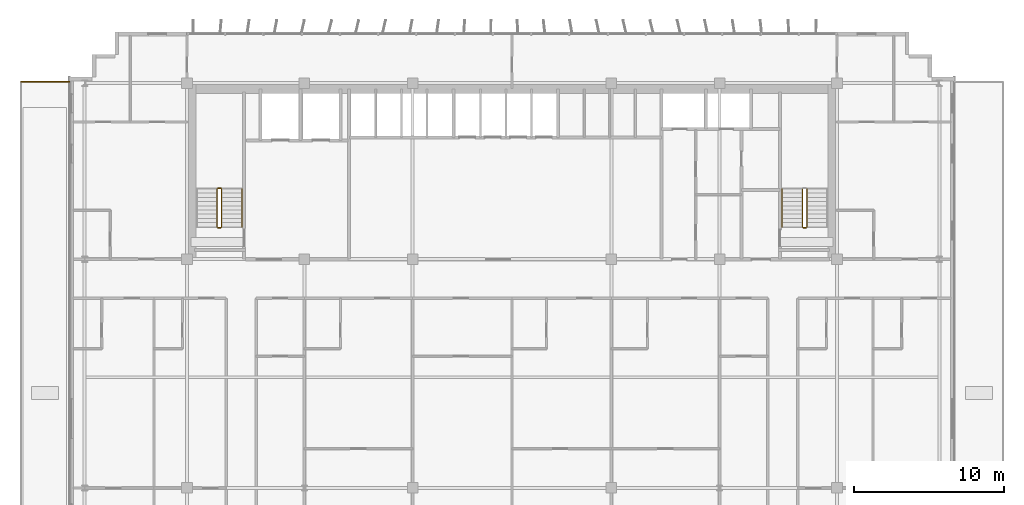
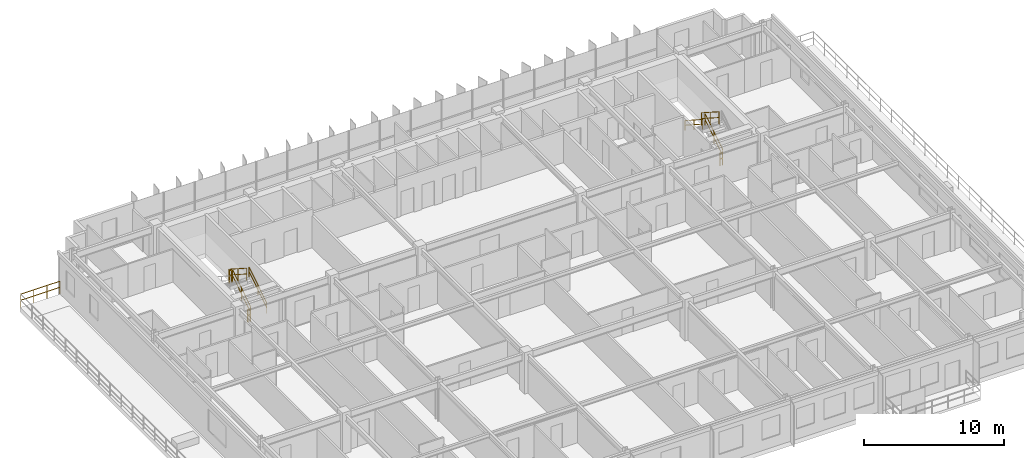
# One storey, part 21 of 22: 10 railings.
"""IFC4 building model written with IfcOpenShell, lengths in metres."""

from ifc_helpers import new_model, si_unit, direction, frame, origin, origin_2d, place, context, subcontext, project, spatial, rectangle, extrude, material, type_object, element, save


model = new_model("IFC4")

# Units and contexts
model_context = context("Model", 3, precision=1e-05, world=origin(), true_north=direction((0.0, 1.0)))
body_context = subcontext(model_context, "Body", "Model", "MODEL_VIEW")
ifc_project = project(units=[si_unit("LENGTHUNIT", "METRE"), si_unit("AREAUNIT", "SQUARE_METRE"), si_unit("VOLUMEUNIT", "CUBIC_METRE"), si_unit("PLANEANGLEUNIT", "RADIAN"), si_unit("MASSUNIT", "GRAM", prefix="KILO")], contexts=[model_context])

# Site, building, storey
site_placement = place(None, origin())
site = spatial("IfcSite", under=ifc_project, at=site_placement, CompositionType="ELEMENT")
building_placement = place(site_placement, origin())
building = spatial("IfcBuilding", under=site, at=building_placement, Name="Trelvane Seafront Commons", CompositionType="ELEMENT")
storey_placement = place(building_placement, frame((0.0, 0.0, 132.10009765625)))
storey = spatial("IfcBuildingStorey", under=building, at=storey_placement, Name="L34", CompositionType="ELEMENT", Elevation=132.10009765625)

# Railings
ifc_material = material(Name="Stainless steel balustrade", Category="steel")
railing_type_1 = type_object("IfcRailingType", Name="ARCH-RAIL-BAL1150", PredefinedType="BALUSTRADE", material=ifc_material)
railing_1_placement = place(storey_placement, frame((4.56005859375, 45.199951171875, 0.0)))
element("IfcRailing", 1, at=railing_1_placement, inside=storey, type_object=railing_type_1, Name="RL-L34-TR0-03", PredefinedType="BALUSTRADE", context=body_context, shape_type="SweptSolid", body=[
    extrude(rectangle(XDim=0.048095703125, YDim=0.048095703125, at=origin_2d()), frame((0.0, 0.0, 1.1259765625), z_axis=(1.0, 0.0, 0.0), x_axis=(0.0, 1.0, 0.0)), (0.0, 0.0, 1.0), 3.239990234375),
    extrude(rectangle(XDim=0.048095703125, YDim=0.048095703125, at=origin_2d()), frame((0.0, 0.0, 0.597900390625), z_axis=(1.0, 0.0, 0.0), x_axis=(0.0, 1.0, 0.0)), (0.0, 0.0, 1.0), 3.239990234375),
    extrude(rectangle(XDim=0.0419921875, YDim=0.0419921875, at=origin_2d()), origin(), (0.0, 0.0, 1.0), 1.1259765625),
    extrude(rectangle(XDim=0.0419921875, YDim=0.0419921875, at=origin_2d()), frame((1.080078125, 0.0, 0.0)), (0.0, 0.0, 1.0), 1.1259765625),
    extrude(rectangle(XDim=0.0419921875, YDim=0.0419921875, at=origin_2d()), frame((2.159912109375, 0.0, 0.0)), (0.0, 0.0, 1.0), 1.1259765625),
    extrude(rectangle(XDim=0.0419921875, YDim=0.0419921875, at=origin_2d()), frame((3.239990234375, 0.0, 0.0)), (0.0, 0.0, 1.0), 1.1259765625),
])
railing_type_2 = type_object("IfcRailingType", Name="ARCH-SRL-GUARD", PredefinedType="GUARDRAIL", material=ifc_material)
railing_2_placement = place(storey_placement, frame((17.89990234375, 35.550048828125, 0.179931640625)))
element("IfcRailing", 2, at=railing_2_placement, inside=storey, type_object=railing_type_2, Name="L34 ST-1 stair guard 1", PredefinedType="GUARDRAIL", context=body_context, shape_type="SweptSolid", body=[
    extrude(rectangle(XDim=0.048095703125, YDim=0.048095703125, at=origin_2d()), frame((0.0, 0.0, 1.076171875), z_axis=(0.0, 0.841199657755, 0.540724639528), x_axis=(-1.0, 0.0, 0.0)), (0.0, 0.0, 1.0), 2.995849609375),
    extrude(rectangle(XDim=0.048095703125, YDim=0.048095703125, at=origin_2d()), frame((0.0, 0.0, 0.572021484375), z_axis=(0.0, 0.841199657755, 0.540724639528), x_axis=(-1.0, 0.0, 0.0)), (0.0, 0.0, 1.0), 2.995849609375),
    extrude(rectangle(XDim=0.0419921875, YDim=0.0419921875, at=origin_2d()), origin(), (0.0, 0.0, 1.0), 1.076171875),
    extrude(rectangle(XDim=0.0419921875, YDim=0.0419921875, at=origin_2d()), frame((0.0, 1.260009765625, 0.81005859375)), (0.0, 0.0, 1.0), 1.076171875),
    extrude(rectangle(XDim=0.0419921875, YDim=0.0419921875, at=origin_2d()), frame((0.0, 2.52001953125, 1.619873046875)), (0.0, 0.0, 1.0), 1.076171875),
])
railing_3_placement = place(storey_placement, frame((17.85009765625, 38.1201171875, 1.7998046875)))
element("IfcRailing", 3, at=railing_3_placement, inside=storey, type_object=railing_type_2, Name="L34 ST-1 stair guard 2", PredefinedType="GUARDRAIL", context=body_context, shape_type="SweptSolid", body=[
    extrude(rectangle(XDim=0.048095703125, YDim=0.048095703125, at=origin_2d()), frame((0.0, 0.0, 1.076171875), z_axis=(-1.0, 0.0, 0.0), x_axis=(0.0, -1.0, 0.0)), (0.0, 0.0, 1.0), 0.2001953125),
    extrude(rectangle(XDim=0.048095703125, YDim=0.048095703125, at=origin_2d()), frame((0.0, 0.0, 0.572021484375), z_axis=(-1.0, 0.0, 0.0), x_axis=(0.0, -1.0, 0.0)), (0.0, 0.0, 1.0), 0.2001953125),
    extrude(rectangle(XDim=0.0419921875, YDim=0.0419921875, at=origin_2d()), origin(), (0.0, 0.0, 1.0), 1.076171875),
    extrude(rectangle(XDim=0.0419921875, YDim=0.0419921875, at=origin_2d()), frame((-0.2001953125, 0.0, 0.0)), (0.0, 0.0, 1.0), 1.076171875),
])
railing_4_placement = place(storey_placement, frame((17.60009765625, 38.070068359375, 1.97998046875)))
element("IfcRailing", 4, at=railing_4_placement, inside=storey, type_object=railing_type_2, Name="L34 ST-1 stair guard 3", PredefinedType="GUARDRAIL", context=body_context, shape_type="SweptSolid", body=[
    extrude(rectangle(XDim=0.048095703125, YDim=0.048095703125, at=origin_2d()), frame((0.0, 0.0, 1.076171875), z_axis=(0.0, -0.841199657755, 0.540724639528), x_axis=(1.0, 0.0, 0.0)), (0.0, 0.0, 1.0), 2.995849609375),
    extrude(rectangle(XDim=0.048095703125, YDim=0.048095703125, at=origin_2d()), frame((0.0, 0.0, 0.572021484375), z_axis=(0.0, -0.841199657755, 0.540724639528), x_axis=(1.0, 0.0, 0.0)), (0.0, 0.0, 1.0), 2.995849609375),
    extrude(rectangle(XDim=0.0419921875, YDim=0.0419921875, at=origin_2d()), origin(), (0.0, 0.0, 1.0), 1.076171875),
    extrude(rectangle(XDim=0.0419921875, YDim=0.0419921875, at=origin_2d()), frame((0.0, -1.260009765625, 0.81005859375)), (0.0, 0.0, 1.0), 1.076171875),
    extrude(rectangle(XDim=0.0419921875, YDim=0.0419921875, at=origin_2d()), frame((0.0, -2.52001953125, 1.619873046875)), (0.0, 0.0, 1.0), 1.076171875),
])
railing_5_placement = place(storey_placement, frame((17.85009765625, 35.5, 0.0)))
element("IfcRailing", 5, at=railing_5_placement, inside=storey, type_object=railing_type_2, Name="L34 ST-1 stair guard 4", PredefinedType="GUARDRAIL", context=body_context, shape_type="SweptSolid", body=[
    extrude(rectangle(XDim=0.048095703125, YDim=0.048095703125, at=origin_2d()), frame((0.0, 0.0, 1.076171875), z_axis=(-1.0, 0.0, 0.0), x_axis=(0.0, -1.0, 0.0)), (0.0, 0.0, 1.0), 0.2001953125),
    extrude(rectangle(XDim=0.048095703125, YDim=0.048095703125, at=origin_2d()), frame((0.0, 0.0, 0.572021484375), z_axis=(-1.0, 0.0, 0.0), x_axis=(0.0, -1.0, 0.0)), (0.0, 0.0, 1.0), 0.2001953125),
    extrude(rectangle(XDim=0.0419921875, YDim=0.0419921875, at=origin_2d()), origin(), (0.0, 0.0, 1.0), 1.076171875),
    extrude(rectangle(XDim=0.0419921875, YDim=0.0419921875, at=origin_2d()), frame((-0.2001953125, 0.0, 0.0)), (0.0, 0.0, 1.0), 1.076171875),
])
railing_6_placement = place(storey_placement, frame((56.800048828125, 35.550048828125, 0.179931640625)))
element("IfcRailing", 6, at=railing_6_placement, inside=storey, type_object=railing_type_2, Name="L34 ST-2 stair guard 1", PredefinedType="GUARDRAIL", context=body_context, shape_type="SweptSolid", body=[
    extrude(rectangle(XDim=0.048095703125, YDim=0.048095703125, at=origin_2d()), frame((0.0, 0.0, 1.076171875), z_axis=(0.0, 0.841199657755, 0.540724639528), x_axis=(-1.0, 0.0, 0.0)), (0.0, 0.0, 1.0), 2.995849609375),
    extrude(rectangle(XDim=0.048095703125, YDim=0.048095703125, at=origin_2d()), frame((0.0, 0.0, 0.572021484375), z_axis=(0.0, 0.841199657755, 0.540724639528), x_axis=(-1.0, 0.0, 0.0)), (0.0, 0.0, 1.0), 2.995849609375),
    extrude(rectangle(XDim=0.0419921875, YDim=0.0419921875, at=origin_2d()), origin(), (0.0, 0.0, 1.0), 1.076171875),
    extrude(rectangle(XDim=0.0419921875, YDim=0.0419921875, at=origin_2d()), frame((0.0, 1.260009765625, 0.81005859375)), (0.0, 0.0, 1.0), 1.076171875),
    extrude(rectangle(XDim=0.0419921875, YDim=0.0419921875, at=origin_2d()), frame((0.0, 2.52001953125, 1.619873046875)), (0.0, 0.0, 1.0), 1.076171875),
])
railing_7_placement = place(storey_placement, frame((56.5, 38.070068359375, 1.97998046875)))
element("IfcRailing", 7, at=railing_7_placement, inside=storey, type_object=railing_type_2, Name="L34 ST-2 stair guard 3", PredefinedType="GUARDRAIL", context=body_context, shape_type="SweptSolid", body=[
    extrude(rectangle(XDim=0.048095703125, YDim=0.048095703125, at=origin_2d()), frame((0.0, 0.0, 1.076171875), z_axis=(0.0, -0.841199657755, 0.540724639528), x_axis=(1.0, 0.0, 0.0)), (0.0, 0.0, 1.0), 2.995849609375),
    extrude(rectangle(XDim=0.048095703125, YDim=0.048095703125, at=origin_2d()), frame((0.0, 0.0, 0.572021484375), z_axis=(0.0, -0.841199657755, 0.540724639528), x_axis=(1.0, 0.0, 0.0)), (0.0, 0.0, 1.0), 2.995849609375),
    extrude(rectangle(XDim=0.0419921875, YDim=0.0419921875, at=origin_2d()), origin(), (0.0, 0.0, 1.0), 1.076171875),
    extrude(rectangle(XDim=0.0419921875, YDim=0.0419921875, at=origin_2d()), frame((0.0, -1.260009765625, 0.81005859375)), (0.0, 0.0, 1.0), 1.076171875),
    extrude(rectangle(XDim=0.0419921875, YDim=0.0419921875, at=origin_2d()), frame((0.0, -2.52001953125, 1.619873046875)), (0.0, 0.0, 1.0), 1.076171875),
])
railing_8_placement = place(storey_placement, frame((56.75, 35.5, 0.0)))
element("IfcRailing", 8, at=railing_8_placement, inside=storey, type_object=railing_type_2, Name="L34 ST-2 stair guard 4", PredefinedType="GUARDRAIL", context=body_context, shape_type="SweptSolid", body=[
    extrude(rectangle(XDim=0.048095703125, YDim=0.048095703125, at=origin_2d()), frame((0.0, 0.0, 1.076171875), z_axis=(-1.0, 0.0, 0.0), x_axis=(0.0, -1.0, 0.0)), (0.0, 0.0, 1.0), 0.199951171875),
    extrude(rectangle(XDim=0.048095703125, YDim=0.048095703125, at=origin_2d()), frame((0.0, 0.0, 0.572021484375), z_axis=(-1.0, 0.0, 0.0), x_axis=(0.0, -1.0, 0.0)), (0.0, 0.0, 1.0), 0.199951171875),
    extrude(rectangle(XDim=0.0419921875, YDim=0.0419921875, at=origin_2d()), origin(), (0.0, 0.0, 1.0), 1.076171875),
    extrude(rectangle(XDim=0.0419921875, YDim=0.0419921875, at=origin_2d()), frame((-0.199951171875, 0.0, 0.0)), (0.0, 0.0, 1.0), 1.076171875),
])
railing_type_3 = type_object("IfcRailingType", Name="ARCH-SRL-HAND", PredefinedType="HANDRAIL", material=ifc_material)
railing_9_placement = place(storey_placement, frame((19.25, 35.550048828125, 0.179931640625)))
element("IfcRailing", 9, at=railing_9_placement, inside=storey, type_object=railing_type_3, Name="L34 ST-1 stair handrail 1", PredefinedType="HANDRAIL", context=body_context, shape_type="SweptSolid", body=[
    extrude(rectangle(XDim=0.048095703125, YDim=0.048095703125, at=origin_2d()), frame((0.0, 0.0, 0.8759765625), z_axis=(0.0, 0.841199657755, 0.540724639528), x_axis=(-1.0, 0.0, 0.0)), (0.0, 0.0, 1.0), 2.995849609375),
    extrude(rectangle(XDim=0.048095703125, YDim=0.048095703125, at=origin_2d()), frame((0.0, 0.0, 0.468017578125), z_axis=(0.0, 0.841199657755, 0.540724639528), x_axis=(-1.0, 0.0, 0.0)), (0.0, 0.0, 1.0), 2.995849609375),
    extrude(rectangle(XDim=0.0419921875, YDim=0.0419921875, at=origin_2d()), origin(), (0.0, 0.0, 1.0), 0.8759765625),
    extrude(rectangle(XDim=0.0419921875, YDim=0.0419921875, at=origin_2d()), frame((0.0, 1.260009765625, 0.81005859375)), (0.0, 0.0, 1.0), 0.8759765625),
    extrude(rectangle(XDim=0.0419921875, YDim=0.0419921875, at=origin_2d()), frame((0.0, 2.52001953125, 1.619873046875)), (0.0, 0.0, 1.0), 0.8759765625),
])
railing_10_placement = place(storey_placement, frame((55.14990234375, 38.070068359375, 1.97998046875)))
element("IfcRailing", 10, at=railing_10_placement, inside=storey, type_object=railing_type_3, Name="L34 ST-2 stair handrail 2", PredefinedType="HANDRAIL", context=body_context, shape_type="SweptSolid", body=[
    extrude(rectangle(XDim=0.048095703125, YDim=0.048095703125, at=origin_2d()), frame((0.0, 0.0, 0.8759765625), z_axis=(0.0, -0.841199657755, 0.540724639528), x_axis=(1.0, 0.0, 0.0)), (0.0, 0.0, 1.0), 2.995849609375),
    extrude(rectangle(XDim=0.048095703125, YDim=0.048095703125, at=origin_2d()), frame((0.0, 0.0, 0.468017578125), z_axis=(0.0, -0.841199657755, 0.540724639528), x_axis=(1.0, 0.0, 0.0)), (0.0, 0.0, 1.0), 2.995849609375),
    extrude(rectangle(XDim=0.0419921875, YDim=0.0419921875, at=origin_2d()), origin(), (0.0, 0.0, 1.0), 0.8759765625),
    extrude(rectangle(XDim=0.0419921875, YDim=0.0419921875, at=origin_2d()), frame((0.0, -1.260009765625, 0.81005859375)), (0.0, 0.0, 1.0), 0.8759765625),
    extrude(rectangle(XDim=0.0419921875, YDim=0.0419921875, at=origin_2d()), frame((0.0, -2.52001953125, 1.619873046875)), (0.0, 0.0, 1.0), 0.8759765625),
])

save(model, "model.ifc")
